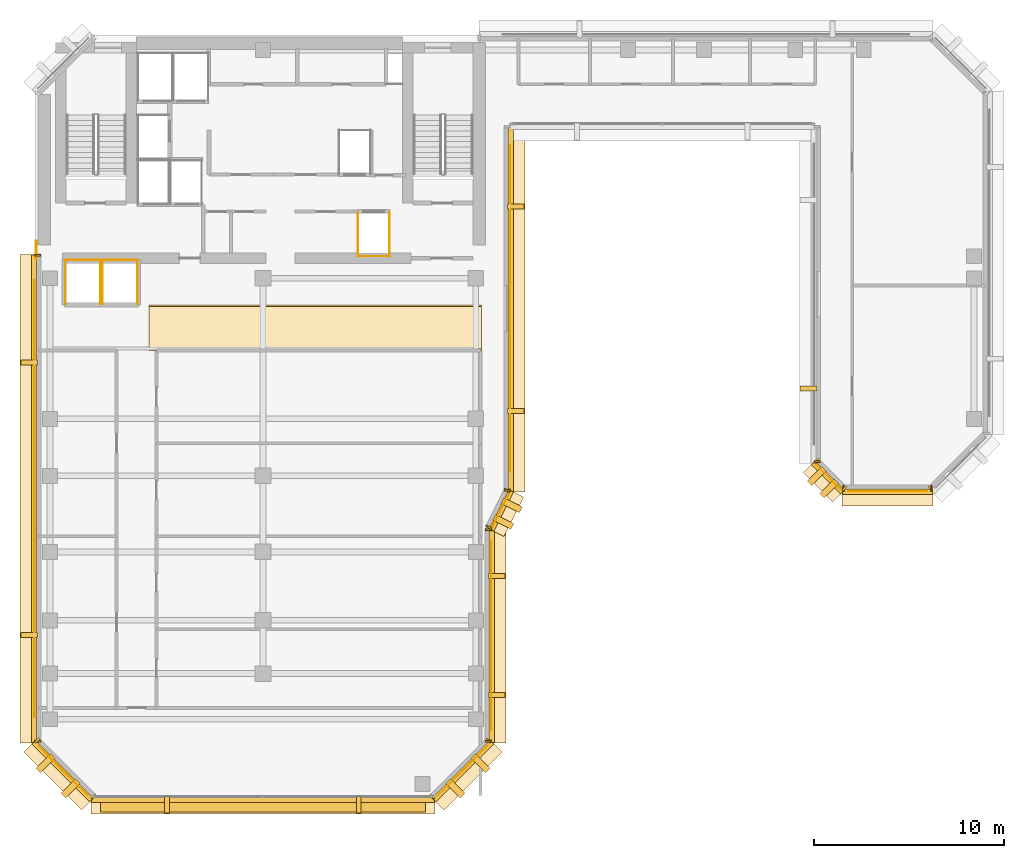
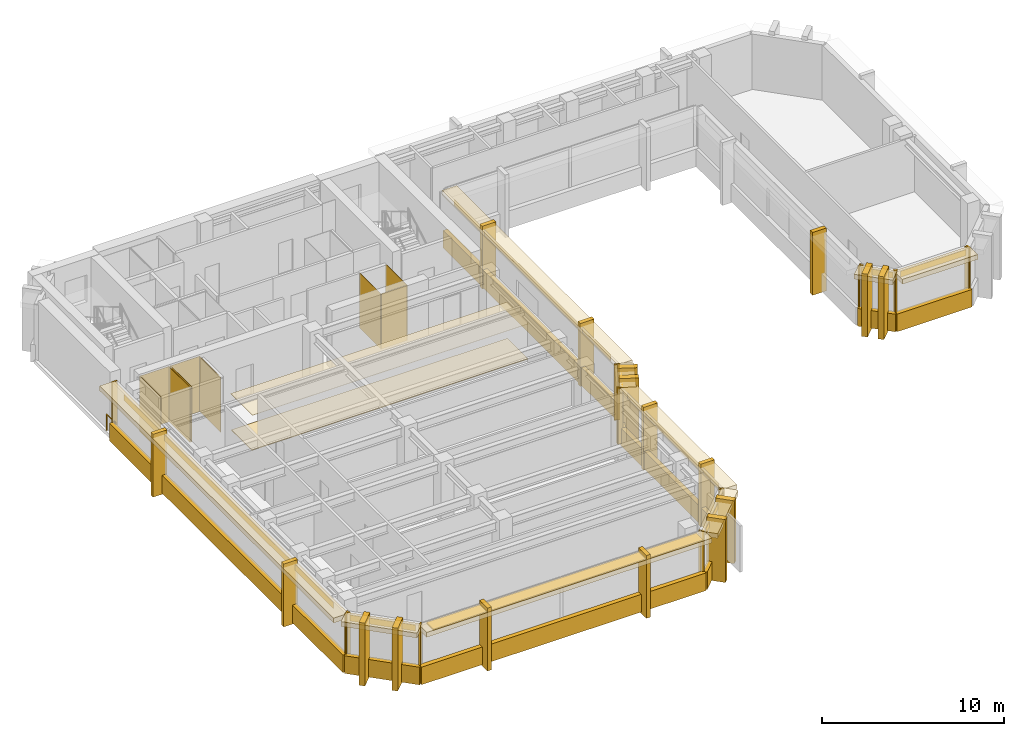
# One storey, part 8 of 11: 71 coverings, 1 railing, 1 shading device.
"""IFC4 building model written with IfcOpenShell, lengths in metres."""

from ifc_helpers import new_model, si_unit, direction, frame, origin, origin_2d, place, context, subcontext, project, spatial, polyline, rectangle, circle, outline, extrude, material, layer, layer_set, type_object, element, save


model = new_model("IFC4")

# Units and contexts
model_context = context("Model", 3, precision=1e-05, world=origin(), true_north=direction((0.0, 1.0)))
body_context = subcontext(model_context, "Body", "Model", "MODEL_VIEW")
ifc_project = project(units=[si_unit("LENGTHUNIT", "METRE"), si_unit("AREAUNIT", "SQUARE_METRE"), si_unit("VOLUMEUNIT", "CUBIC_METRE"), si_unit("PLANEANGLEUNIT", "RADIAN"), si_unit("MASSUNIT", "GRAM", prefix="KILO")], contexts=[model_context])

# Site, building, storey
site_placement = place(None, origin())
site = spatial("IfcSite", under=ifc_project, at=site_placement, CompositionType="ELEMENT")
building_placement = place(site_placement, origin())
building = spatial("IfcBuilding", under=site, at=building_placement, Name="Kefirva Bronze Tower", CompositionType="ELEMENT")
storey_placement = place(building_placement, frame((0.0, 0.0, 231.659912109375)))
storey = spatial("IfcBuildingStorey", under=building, at=storey_placement, Name="L56", CompositionType="ELEMENT", Elevation=231.659912109375)

# Coverings
ifc_material_1 = material(Name="Acoustic mineral tile")
ifc_layer_1 = layer(ifc_material_1, 0.02490234375, Name="Acoustic mineral tile")
ifc_layer_set_1 = layer_set([ifc_layer_1], Name="Acoustic mineral tile")
covering_type_1 = type_object("IfcCoveringType", Name="Acoustic Mineral Suspended Ceiling 25mm", PredefinedType="CEILING", material=ifc_layer_set_1)
covering_1_placement = place(storey_placement, frame((0.0, 0.0, 2.400146484375)))
element("IfcCovering", 1, at=covering_1_placement, inside=storey, type_object=covering_type_1, Name="L56 Corridor Acoustic Ceiling", PredefinedType="CEILING", context=body_context, shape_type="SweptSolid", body=[
    extrude(outline(polyline([(6.0, 29.39990234375), (23.5, 29.39990234375), (23.5, 31.800048828125), (6.0, 31.800048828125), (6.0, 29.39990234375)])), origin(), (0.0, 0.0, 1.0), 0.02490234375),
])
ifc_material_2 = material(Name="Bronze anodised aluminium", Category="aluminium")
ifc_layer_2 = layer(ifc_material_2, 0.02001953125, Name="Bronze anodised aluminium")
ifc_layer_set_2 = layer_set([ifc_layer_2], Name="Bronze anodised aluminium")
covering_type_2 = type_object("IfcCoveringType", Name="Anodised Bronze Spandrel Cladding 20mm", PredefinedType="CLADDING", material=ifc_layer_set_2)
covering_2_placement = place(storey_placement, frame((12.0, 5.760009765625, -0.15966796875), z_axis=(0.0, 0.0, 1.0), x_axis=(1.0, 0.0, 0.0)))
element("IfcCovering", 2, at=covering_2_placement, inside=storey, type_object=covering_type_2, Name="L56 Streamline Horizontal Spandrel Band 0", PredefinedType="CLADDING", context=body_context, shape_type="SweptSolid", body=[
    extrude(rectangle(XDim=18.0400390625, YDim=0.280029296875, at=origin_2d()), origin(), (0.0, 0.0, 1.0), 1.179931640625),
])
covering_3_placement = place(storey_placement, frame((22.507080078125, 7.29296875, 3.2900390625), z_axis=(0.0, 0.0, 1.0), x_axis=(0.707106781187, 0.707106781187, 0.0)))
element("IfcCovering", 3, at=covering_3_placement, inside=storey, type_object=covering_type_2, Name="L56 Bronze Spandrel Cladding 1", PredefinedType="CLADDING", context=body_context, shape_type="SweptSolid", body=[
    extrude(rectangle(XDim=3.719482421875, YDim=0.02001953125, at=origin_2d()), origin(), (0.0, 0.0, 1.0), 0.39990234375),
])
for number, where, z_axis, x_axis, name in (
    (4, (20.91162109375, 5.93798828125, 0.0), (0.0, 0.0, 1.0), (0.707106781187, 0.707106781187, 0.0), "L56 Facade Joint Closure Panel 1S"),
    (5, (23.862060546875, 8.88818359375, 0.0), (0.0, 0.0, 1.0), (0.707106781187, 0.707106781187, 0.0), "L56 Facade Joint Closure Panel 1E"),
):
    element("IfcCovering", number, at=place(storey_placement, frame(where, z_axis=z_axis, x_axis=x_axis)), inside=storey, type_object=covering_type_2, Name=name, PredefinedType="CLADDING", context=body_context, shape_type="SweptSolid", body=[
        extrude(rectangle(XDim=0.10009765625, YDim=0.320068359375, at=origin_2d()), origin(), (0.0, 0.0, 1.0), 3.7099609375),
    ])
covering_4_placement = place(storey_placement, frame((22.5283203125, 7.271728515625, -0.15966796875), z_axis=(0.0, 0.0, 1.0), x_axis=(0.707106781187, 0.707106781187, 0.0)))
element("IfcCovering", 6, at=covering_4_placement, inside=storey, type_object=covering_type_2, Name="L56 Streamline Horizontal Spandrel Band 1", PredefinedType="CLADDING", context=body_context, shape_type="SweptSolid", body=[
    extrude(rectangle(XDim=4.28271484375, YDim=0.280029296875, at=origin_2d()), origin(), (0.0, 0.0, 1.0), 1.179931640625),
])
covering_5_placement = place(storey_placement, frame((24.010009765625, 14.39990234375, 3.2900390625), z_axis=(0.0, 0.0, 1.0), x_axis=(0.0, 1.0, 0.0)))
element("IfcCovering", 7, at=covering_5_placement, inside=storey, type_object=covering_type_2, Name="L56 Bronze Spandrel Cladding 2", PredefinedType="CLADDING", context=body_context, shape_type="SweptSolid", body=[
    extrude(rectangle(XDim=9.98095703125, YDim=0.02001953125, at=origin_2d()), origin(), (0.0, 0.0, 1.0), 0.39990234375),
])
for number, where, z_axis, x_axis, name in (
    (8, (23.840087890625, 8.8349609375, 0.0), (0.0, 0.0, 1.0), (0.0, 1.0, 0.0), "L56 Facade Joint Closure Panel 2S"),
    (9, (23.840087890625, 19.965087890625, 0.0), (0.0, 0.0, 1.0), (0.0, 1.0, 0.0), "L56 Facade Joint Closure Panel 2E"),
):
    element("IfcCovering", number, at=place(storey_placement, frame(where, z_axis=z_axis, x_axis=x_axis)), inside=storey, type_object=covering_type_2, Name=name, PredefinedType="CLADDING", context=body_context, shape_type="SweptSolid", body=[
        extrude(rectangle(XDim=0.10009765625, YDim=0.320068359375, at=origin_2d()), origin(), (0.0, 0.0, 1.0), 3.7099609375),
    ])
covering_6_placement = place(storey_placement, frame((24.0400390625, 14.39990234375, -0.15966796875), z_axis=(0.0, 0.0, 1.0), x_axis=(0.0, 1.0, 0.0)))
element("IfcCovering", 10, at=covering_6_placement, inside=storey, type_object=covering_type_2, Name="L56 Streamline Horizontal Spandrel Band 2", PredefinedType="CLADDING", context=body_context, shape_type="SweptSolid", body=[
    extrude(rectangle(XDim=11.239990234375, YDim=0.280029296875, at=origin_2d()), origin(), (0.0, 0.0, 1.0), 1.179931640625),
])
covering_7_placement = place(storey_placement, frame((24.5087890625, 20.99560546875, 3.2900390625), z_axis=(0.0, 0.0, 1.0), x_axis=(0.44721435766, 0.89442680992, 0.0)))
element("IfcCovering", 11, at=covering_7_placement, inside=storey, type_object=covering_type_2, Name="L56 Bronze Spandrel Cladding 3", PredefinedType="CLADDING", context=body_context, shape_type="SweptSolid", body=[
    extrude(rectangle(XDim=1.91357421875, YDim=0.02001953125, at=origin_2d()), origin(), (0.0, 0.0, 1.0), 0.39990234375),
])
for number, where, z_axis, x_axis, name in (
    (12, (23.87255859375, 20.102783203125, 0.0), (0.0, 0.0, 1.0), (0.44721435766, 0.89442680992, 0.0), "L56 Facade Joint Closure Panel 3S"),
    (13, (24.84130859375, 22.040283203125, 0.0), (0.0, 0.0, 1.0), (0.44721435766, 0.89442680992, 0.0), "L56 Facade Joint Closure Panel 3E"),
):
    element("IfcCovering", number, at=place(storey_placement, frame(where, z_axis=z_axis, x_axis=x_axis)), inside=storey, type_object=covering_type_2, Name=name, PredefinedType="CLADDING", context=body_context, shape_type="SweptSolid", body=[
        extrude(rectangle(XDim=0.10009765625, YDim=0.320068359375, at=origin_2d()), origin(), (0.0, 0.0, 1.0), 3.7099609375),
    ])
covering_8_placement = place(storey_placement, frame((24.535888671875, 20.982177734375, -0.15966796875), z_axis=(0.0, 0.0, 1.0), x_axis=(0.44721435766, 0.89442680992, 0.0)))
element("IfcCovering", 14, at=covering_8_placement, inside=storey, type_object=covering_type_2, Name="L56 Streamline Horizontal Spandrel Band 3", PredefinedType="CLADDING", context=body_context, shape_type="SweptSolid", body=[
    extrude(rectangle(XDim=2.276123046875, YDim=0.280029296875, at=origin_2d()), origin(), (0.0, 0.0, 1.0), 1.179931640625),
])
covering_9_placement = place(storey_placement, frame((25.010009765625, 31.60009765625, 3.2900390625), z_axis=(0.0, 0.0, 1.0), x_axis=(0.0, 1.0, 0.0)))
element("IfcCovering", 15, at=covering_9_placement, inside=storey, type_object=covering_type_2, Name="L56 Bronze Spandrel Cladding 4", PredefinedType="CLADDING", context=body_context, shape_type="SweptSolid", body=[
    extrude(rectangle(XDim=17.180908203125, YDim=0.02001953125, at=origin_2d()), origin(), (0.0, 0.0, 1.0), 0.39990234375),
])
covering_10_placement = place(storey_placement, frame((24.840087890625, 22.034912109375, 0.0), z_axis=(0.0, 0.0, 1.0), x_axis=(0.0, 1.0, 0.0)))
element("IfcCovering", 16, at=covering_10_placement, inside=storey, type_object=covering_type_2, Name="L56 Facade Joint Closure Panel 4S", PredefinedType="CLADDING", context=body_context, shape_type="SweptSolid", body=[
    extrude(rectangle(XDim=0.10009765625, YDim=0.320068359375, at=origin_2d()), origin(), (0.0, 0.0, 1.0), 3.7099609375),
])
covering_11_placement = place(storey_placement, frame((25.0400390625, 31.60009765625, -0.15966796875), z_axis=(0.0, 0.0, 1.0), x_axis=(0.0, 1.0, 0.0)))
element("IfcCovering", 17, at=covering_11_placement, inside=storey, type_object=covering_type_2, Name="L56 Streamline Horizontal Spandrel Band 5", PredefinedType="CLADDING", context=body_context, shape_type="SweptSolid", body=[
    extrude(rectangle(XDim=19.239990234375, YDim=0.280029296875, at=origin_2d()), origin(), (0.0, 0.0, 1.0), 1.179931640625),
])
covering_12_placement = place(storey_placement, frame((41.159912109375, 23.534912109375, 0.0), z_axis=(0.0, 0.0, 1.0), x_axis=(0.0, -1.0, 0.0)))
element("IfcCovering", 18, at=covering_12_placement, inside=storey, type_object=covering_type_2, Name="L56 Facade Joint Closure Panel 5E", PredefinedType="CLADDING", context=body_context, shape_type="SweptSolid", body=[
    extrude(rectangle(XDim=0.10009765625, YDim=0.320068359375, at=origin_2d()), origin(), (0.0, 0.0, 1.0), 3.7099609375),
])
covering_13_placement = place(storey_placement, frame((41.742919921875, 22.742919921875, 3.2900390625), z_axis=(0.0, 0.0, 1.0), x_axis=(0.707106781187, -0.707106781187, 0.0)))
element("IfcCovering", 19, at=covering_13_placement, inside=storey, type_object=covering_type_2, Name="L56 Bronze Spandrel Cladding 6", PredefinedType="CLADDING", context=body_context, shape_type="SweptSolid", body=[
    extrude(rectangle(XDim=1.810302734375, YDim=0.02001953125, at=origin_2d()), origin(), (0.0, 0.0, 1.0), 0.39990234375),
])
for number, where, z_axis, x_axis, name in (
    (20, (41.137939453125, 23.58837890625, 0.0), (0.0, 0.0, 1.0), (0.707106781187, -0.707106781187, 0.0), "L56 Facade Joint Closure Panel 6S"),
    (21, (42.58837890625, 22.137939453125, 0.0), (0.0, 0.0, 1.0), (0.707106781187, -0.707106781187, 0.0), "L56 Facade Joint Closure Panel 6E"),
):
    element("IfcCovering", number, at=place(storey_placement, frame(where, z_axis=z_axis, x_axis=x_axis)), inside=storey, type_object=covering_type_2, Name=name, PredefinedType="CLADDING", context=body_context, shape_type="SweptSolid", body=[
        extrude(rectangle(XDim=0.10009765625, YDim=0.320068359375, at=origin_2d()), origin(), (0.0, 0.0, 1.0), 3.7099609375),
    ])
covering_14_placement = place(storey_placement, frame((41.7216796875, 22.7216796875, -0.15966796875), z_axis=(0.0, 0.0, 1.0), x_axis=(0.707106781187, -0.707106781187, 0.0)))
element("IfcCovering", 22, at=covering_14_placement, inside=storey, type_object=covering_type_2, Name="L56 Streamline Horizontal Spandrel Band 8", PredefinedType="CLADDING", context=body_context, shape_type="SweptSolid", body=[
    extrude(rectangle(XDim=2.161376953125, YDim=0.280029296875, at=origin_2d()), origin(), (0.0, 0.0, 1.0), 1.179931640625),
])
covering_15_placement = place(storey_placement, frame((44.85009765625, 21.989990234375, 3.2900390625), z_axis=(0.0, 0.0, 1.0), x_axis=(1.0, 0.0, 0.0)))
element("IfcCovering", 23, at=covering_15_placement, inside=storey, type_object=covering_type_2, Name="L56 Bronze Spandrel Cladding 7", PredefinedType="CLADDING", context=body_context, shape_type="SweptSolid", body=[
    extrude(rectangle(XDim=4.131103515625, YDim=0.02001953125, at=origin_2d()), origin(), (0.0, 0.0, 1.0), 0.39990234375),
])
for number, where, z_axis, x_axis, name in (
    (24, (42.534912109375, 22.159912109375, 0.0), (0.0, 0.0, 1.0), (1.0, 0.0, 0.0), "L56 Facade Joint Closure Panel 7S"),
    (25, (47.1650390625, 22.159912109375, 0.0), (0.0, 0.0, 1.0), (1.0, 0.0, 0.0), "L56 Facade Joint Closure Panel 7E"),
):
    element("IfcCovering", number, at=place(storey_placement, frame(where, z_axis=z_axis, x_axis=x_axis)), inside=storey, type_object=covering_type_2, Name=name, PredefinedType="CLADDING", context=body_context, shape_type="SweptSolid", body=[
        extrude(rectangle(XDim=0.10009765625, YDim=0.320068359375, at=origin_2d()), origin(), (0.0, 0.0, 1.0), 3.7099609375),
    ])
covering_16_placement = place(storey_placement, frame((44.85009765625, 21.9599609375, -0.15966796875), z_axis=(0.0, 0.0, 1.0), x_axis=(1.0, 0.0, 0.0)))
element("IfcCovering", 26, at=covering_16_placement, inside=storey, type_object=covering_type_2, Name="L56 Streamline Horizontal Spandrel Band 9", PredefinedType="CLADDING", context=body_context, shape_type="SweptSolid", body=[
    extrude(rectangle(XDim=4.739990234375, YDim=0.280029296875, at=origin_2d()), origin(), (0.0, 0.0, 1.0), 1.179931640625),
])
covering_17_placement = place(storey_placement, frame((47.11181640625, 22.137939453125, 0.0), z_axis=(0.0, 0.0, 1.0), x_axis=(0.707106781187, 0.707106781187, 0.0)))
element("IfcCovering", 27, at=covering_17_placement, inside=storey, type_object=covering_type_2, Name="L56 Facade Joint Closure Panel 8S", PredefinedType="CLADDING", context=body_context, shape_type="SweptSolid", body=[
    extrude(rectangle(XDim=0.10009765625, YDim=0.320068359375, at=origin_2d()), origin(), (0.0, 0.0, 1.0), 3.7099609375),
])
covering_18_placement = place(storey_placement, frame((-0.010009765625, 21.597412109375, 3.2900390625), z_axis=(0.0, 0.0, 1.0), x_axis=(0.0, -1.0, 0.0)))
element("IfcCovering", 28, at=covering_18_placement, inside=storey, type_object=covering_type_2, Name="L56 Bronze Spandrel Cladding 13", PredefinedType="CLADDING", context=body_context, shape_type="SweptSolid", body=[
    extrude(rectangle(XDim=22.986083984375, YDim=0.02001953125, at=origin_2d()), origin(), (0.0, 0.0, 1.0), 0.39990234375),
])
for number, where, z_axis, x_axis, name in (
    (29, (0.159912109375, 34.4150390625, 0.0), (0.0, 0.0, 1.0), (0.0, -1.0, 0.0), "L56 Facade Joint Closure Panel 13S"),
    (30, (0.159912109375, 8.8349609375, 0.0), (0.0, 0.0, 1.0), (0.0, -1.0, 0.0), "L56 Facade Joint Closure Panel 13E"),
):
    element("IfcCovering", number, at=place(storey_placement, frame(where, z_axis=z_axis, x_axis=x_axis)), inside=storey, type_object=covering_type_2, Name=name, PredefinedType="CLADDING", context=body_context, shape_type="SweptSolid", body=[
        extrude(rectangle(XDim=0.10009765625, YDim=0.320068359375, at=origin_2d()), origin(), (0.0, 0.0, 1.0), 3.7099609375),
    ])
covering_19_placement = place(storey_placement, frame((-0.0400390625, 21.597412109375, -0.15966796875), z_axis=(0.0, 0.0, 1.0), x_axis=(0.0, -1.0, 0.0)))
element("IfcCovering", 31, at=covering_19_placement, inside=storey, type_object=covering_type_2, Name="L56 Streamline Horizontal Spandrel Band 15", PredefinedType="CLADDING", context=body_context, shape_type="SweptSolid", body=[
    extrude(rectangle(XDim=25.635009765625, YDim=0.280029296875, at=origin_2d()), origin(), (0.0, 0.0, 1.0), 1.179931640625),
])
covering_20_placement = place(storey_placement, frame((1.492919921875, 7.29296875, 3.2900390625), z_axis=(0.0, 0.0, 1.0), x_axis=(0.707106781187, -0.707106781187, 0.0)))
element("IfcCovering", 32, at=covering_20_placement, inside=storey, type_object=covering_type_2, Name="L56 Bronze Spandrel Cladding 14", PredefinedType="CLADDING", context=body_context, shape_type="SweptSolid", body=[
    extrude(rectangle(XDim=3.719482421875, YDim=0.02001953125, at=origin_2d()), origin(), (0.0, 0.0, 1.0), 0.39990234375),
])
for number, where, z_axis, x_axis, name in (
    (33, (0.137939453125, 8.88818359375, 0.0), (0.0, 0.0, 1.0), (0.707106781187, -0.707106781187, 0.0), "L56 Facade Joint Closure Panel 14S"),
    (34, (3.08837890625, 5.93798828125, 0.0), (0.0, 0.0, 1.0), (0.707106781187, -0.707106781187, 0.0), "L56 Facade Joint Closure Panel 14E"),
):
    element("IfcCovering", number, at=place(storey_placement, frame(where, z_axis=z_axis, x_axis=x_axis)), inside=storey, type_object=covering_type_2, Name=name, PredefinedType="CLADDING", context=body_context, shape_type="SweptSolid", body=[
        extrude(rectangle(XDim=0.10009765625, YDim=0.320068359375, at=origin_2d()), origin(), (0.0, 0.0, 1.0), 3.7099609375),
    ])
covering_21_placement = place(storey_placement, frame((1.4716796875, 7.271728515625, -0.15966796875), z_axis=(0.0, 0.0, 1.0), x_axis=(0.707106781187, -0.707106781187, 0.0)))
element("IfcCovering", 35, at=covering_21_placement, inside=storey, type_object=covering_type_2, Name="L56 Streamline Horizontal Spandrel Band 16", PredefinedType="CLADDING", context=body_context, shape_type="SweptSolid", body=[
    extrude(rectangle(XDim=4.28271484375, YDim=0.280029296875, at=origin_2d()), origin(), (0.0, 0.0, 1.0), 1.179931640625),
])
covering_22_placement = place(storey_placement, origin())
element("IfcCovering", 36, at=covering_22_placement, inside=storey, type_object=covering_type_2, Name="L56 Lift OB1 Hoistway Liner N", PredefinedType="CLADDING", context=body_context, shape_type="SweptSolid", body=[
    extrude(outline(polyline([(1.580078125, 34.139892578125), (3.469970703125, 34.139892578125), (3.469970703125, 34.159912109375), (1.580078125, 34.159912109375), (1.580078125, 34.139892578125)])), origin(), (0.0, 0.0, 1.0), 3.710205078125),
])
covering_23_placement = place(storey_placement, origin())
element("IfcCovering", 37, at=covering_23_placement, inside=storey, type_object=covering_type_2, Name="L56 Lift OB1 Hoistway Liner W", PredefinedType="CLADDING", context=body_context, shape_type="SweptSolid", body=[
    extrude(outline(polyline([(1.590087890625, 31.830078125), (1.610107421875, 31.830078125), (1.610107421875, 34.169921875), (1.590087890625, 34.169921875), (1.590087890625, 31.830078125)])), origin(), (0.0, 0.0, 1.0), 3.710205078125),
])
covering_24_placement = place(storey_placement, origin())
element("IfcCovering", 38, at=covering_24_placement, inside=storey, type_object=covering_type_2, Name="L56 Lift OB1 Hoistway Liner E", PredefinedType="CLADDING", context=body_context, shape_type="SweptSolid", body=[
    extrude(outline(polyline([(3.43994140625, 31.830078125), (3.4599609375, 31.830078125), (3.4599609375, 34.169921875), (3.43994140625, 34.169921875), (3.43994140625, 31.830078125)])), origin(), (0.0, 0.0, 1.0), 3.710205078125),
])
covering_25_placement = place(storey_placement, origin())
element("IfcCovering", 39, at=covering_25_placement, inside=storey, type_object=covering_type_2, Name="L56 Lift OB2 Hoistway Liner N", PredefinedType="CLADDING", context=body_context, shape_type="SweptSolid", body=[
    extrude(outline(polyline([(3.530029296875, 34.139892578125), (5.419921875, 34.139892578125), (5.419921875, 34.159912109375), (3.530029296875, 34.159912109375), (3.530029296875, 34.139892578125)])), origin(), (0.0, 0.0, 1.0), 3.710205078125),
])
covering_26_placement = place(storey_placement, origin())
element("IfcCovering", 40, at=covering_26_placement, inside=storey, type_object=covering_type_2, Name="L56 Lift OB2 Hoistway Liner W", PredefinedType="CLADDING", context=body_context, shape_type="SweptSolid", body=[
    extrude(outline(polyline([(3.5400390625, 31.830078125), (3.56005859375, 31.830078125), (3.56005859375, 34.169921875), (3.5400390625, 34.169921875), (3.5400390625, 31.830078125)])), origin(), (0.0, 0.0, 1.0), 3.710205078125),
])
covering_27_placement = place(storey_placement, origin())
element("IfcCovering", 41, at=covering_27_placement, inside=storey, type_object=covering_type_2, Name="L56 Lift OB2 Hoistway Liner E", PredefinedType="CLADDING", context=body_context, shape_type="SweptSolid", body=[
    extrude(outline(polyline([(5.389892578125, 31.830078125), (5.409912109375, 31.830078125), (5.409912109375, 34.169921875), (5.389892578125, 34.169921875), (5.389892578125, 31.830078125)])), origin(), (0.0, 0.0, 1.0), 3.710205078125),
])
covering_28_placement = place(storey_placement, origin())
element("IfcCovering", 42, at=covering_28_placement, inside=storey, type_object=covering_type_2, Name="L56 Lift HP1 Hoistway Liner S", PredefinedType="CLADDING", context=body_context, shape_type="SweptSolid", body=[
    extrude(outline(polyline([(16.97998046875, 34.340087890625), (18.669921875, 34.340087890625), (18.669921875, 34.360107421875), (16.97998046875, 34.360107421875), (16.97998046875, 34.340087890625)])), origin(), (0.0, 0.0, 1.0), 3.710205078125),
])
covering_29_placement = place(storey_placement, origin())
element("IfcCovering", 43, at=covering_29_placement, inside=storey, type_object=covering_type_2, Name="L56 Lift HP1 Hoistway Liner W", PredefinedType="CLADDING", context=body_context, shape_type="SweptSolid", body=[
    extrude(outline(polyline([(16.989990234375, 34.330078125), (17.010009765625, 34.330078125), (17.010009765625, 36.669921875), (16.989990234375, 36.669921875), (16.989990234375, 34.330078125)])), origin(), (0.0, 0.0, 1.0), 3.710205078125),
])
covering_30_placement = place(storey_placement, origin())
element("IfcCovering", 44, at=covering_30_placement, inside=storey, type_object=covering_type_2, Name="L56 Lift HP1 Hoistway Liner E", PredefinedType="CLADDING", context=body_context, shape_type="SweptSolid", body=[
    extrude(outline(polyline([(18.639892578125, 34.330078125), (18.659912109375, 34.330078125), (18.659912109375, 36.669921875), (18.639892578125, 36.669921875), (18.639892578125, 34.330078125)])), origin(), (0.0, 0.0, 1.0), 3.710205078125),
])

# Shading device
ifc_layer_3 = layer(ifc_material_2, 0.090087890625, Name="Bronze anodised aluminium")
ifc_layer_set_3 = layer_set([ifc_layer_3], Name="Bronze anodised aluminium")
shading_device_type = type_object("IfcShadingDeviceType", Name="Horizontal Bronze Sunshade Band 750mm", PredefinedType="JALOUSIE", material=ifc_layer_set_3)
shading_device_placement = place(storey_placement, frame((12.0, 5.5048828125, 3.60498046875), z_axis=(0.0, 0.0, 1.0), x_axis=(1.0, 0.0, 0.0)))
element("IfcShadingDevice", 45, at=shading_device_placement, inside=storey, type_object=shading_device_type, Name="L56 Horizontal Bronze Sunshade Band 0", PredefinedType="JALOUSIE", context=body_context, shape_type="SweptSolid", body=[
    extrude(rectangle(XDim=17.090087890625, YDim=0.75, at=origin_2d()), origin(), (0.0, 0.0, 1.0), 0.090087890625),
])

# Railing
ifc_material_3 = material(Name="Stainless steel 316", Category="steel")
railing_type = type_object("IfcRailingType", Name="Interior Stair Guardrail 1100mm", PredefinedType="GUARDRAIL", material=ifc_material_3)
railing_placement = place(storey_placement, frame((0.080078125, 34.199951171875, 0.0)))
element("IfcRailing", 46, at=railing_placement, inside=storey, type_object=railing_type, Name="L56 West Core Junction Guardrail", PredefinedType="GUARDRAIL", context=body_context, shape_type="SweptSolid", body=[
    extrude(circle(Radius=0.02392578125, at=origin_2d()), frame((0.0, 0.0, 1.076171875), z_axis=(0.0, 1.0, 0.0), x_axis=(-1.0, 0.0, 0.0)), (0.0, 0.0, 1.0), 0.949951171875),
    extrude(circle(Radius=0.02099609375, at=origin_2d()), origin(), (0.0, 0.0, 1.0), 1.052001953125),
    extrude(circle(Radius=0.02099609375, at=origin_2d()), frame((0.0, 0.949951171875, 0.0)), (0.0, 0.0, 1.0), 1.052001953125),
])

# Coverings
ifc_material_4 = material(Name="Calcium sulphate access tile")
ifc_layer_4 = layer(ifc_material_4, 0.044921875, Name="Calcium sulphate access tile")
ifc_layer_set_4 = layer_set([ifc_layer_4], Name="Calcium sulphate access tile")
covering_type_3 = type_object("IfcCoveringType", Name="Raised Access Office Flooring 45mm", PredefinedType="FLOORING", material=ifc_layer_set_4)
covering_31_placement = place(storey_placement, origin())
element("IfcCovering", 47, at=covering_31_placement, inside=storey, type_object=covering_type_3, Name="L56 Architectural Finish Flooring", PredefinedType="FLOORING", context=body_context, shape_type="SweptSolid", body=[
    extrude(outline(polyline([(6.0, 29.47998046875), (23.5, 29.47998046875), (23.5, 31.719970703125), (6.0, 31.719970703125), (6.0, 29.47998046875)])), origin(), (0.0, 0.0, 1.0), 0.045166015625),
])
ifc_layer_5 = layer(ifc_material_2, 0.179931640625, Name="Bronze anodised aluminium")
ifc_layer_set_5 = layer_set([ifc_layer_5], Name="Bronze anodised aluminium")
covering_type_4 = type_object("IfcCoveringType", Name="Streamline Bronze Sunshade Eyebrow Cladding 180mm", PredefinedType="CLADDING", material=ifc_layer_set_5)
covering_32_placement = place(storey_placement, frame((12.0, 5.489990234375, 3.39013671875), z_axis=(0.0, 0.0, 1.0), x_axis=(1.0, 0.0, 0.0)))
element("IfcCovering", 48, at=covering_32_placement, inside=storey, type_object=covering_type_4, Name="L56 Streamline Bronze Sunshade Eyebrow 0", PredefinedType="CLADDING", context=body_context, shape_type="SweptSolid", body=[
    extrude(rectangle(XDim=18.080078125, YDim=0.93994140625, at=origin_2d()), origin(), (0.0, 0.0, 1.0), 0.320068359375),
])
covering_33_placement = place(storey_placement, frame((22.71923828125, 7.080810546875, 3.39013671875), z_axis=(0.0, 0.0, 1.0), x_axis=(0.707106781187, 0.707106781187, 0.0)))
element("IfcCovering", 49, at=covering_33_placement, inside=storey, type_object=covering_type_4, Name="L56 Streamline Bronze Sunshade Eyebrow 1", PredefinedType="CLADDING", context=body_context, shape_type="SweptSolid", body=[
    extrude(rectangle(XDim=4.322509765625, YDim=0.93994140625, at=origin_2d()), origin(), (0.0, 0.0, 1.0), 0.320068359375),
])
covering_34_placement = place(storey_placement, frame((24.31005859375, 14.39990234375, 3.39013671875), z_axis=(0.0, 0.0, 1.0), x_axis=(0.0, 1.0, 0.0)))
element("IfcCovering", 50, at=covering_34_placement, inside=storey, type_object=covering_type_4, Name="L56 Streamline Bronze Sunshade Eyebrow 2", PredefinedType="CLADDING", context=body_context, shape_type="SweptSolid", body=[
    extrude(rectangle(XDim=11.280029296875, YDim=0.93994140625, at=origin_2d()), origin(), (0.0, 0.0, 1.0), 0.320068359375),
])
covering_35_placement = place(storey_placement, frame((24.77734375, 20.861328125, 3.39013671875), z_axis=(0.0, 0.0, 1.0), x_axis=(0.44721435766, 0.89442680992, 0.0)))
element("IfcCovering", 51, at=covering_35_placement, inside=storey, type_object=covering_type_4, Name="L56 Streamline Bronze Sunshade Eyebrow 3", PredefinedType="CLADDING", context=body_context, shape_type="SweptSolid", body=[
    extrude(rectangle(XDim=2.316162109375, YDim=0.93994140625, at=origin_2d()), origin(), (0.0, 0.0, 1.0), 0.320068359375),
])
covering_36_placement = place(storey_placement, frame((25.31005859375, 31.60009765625, 3.39013671875), z_axis=(0.0, 0.0, 1.0), x_axis=(0.0, 1.0, 0.0)))
element("IfcCovering", 52, at=covering_36_placement, inside=storey, type_object=covering_type_4, Name="L56 Streamline Bronze Sunshade Eyebrow 5", PredefinedType="CLADDING", context=body_context, shape_type="SweptSolid", body=[
    extrude(rectangle(XDim=19.280029296875, YDim=0.93994140625, at=origin_2d()), origin(), (0.0, 0.0, 1.0), 0.320068359375),
])
covering_37_placement = place(storey_placement, frame((41.53076171875, 22.53076171875, 3.39013671875), z_axis=(0.0, 0.0, 1.0), x_axis=(0.707106781187, -0.707106781187, 0.0)))
element("IfcCovering", 53, at=covering_37_placement, inside=storey, type_object=covering_type_4, Name="L56 Streamline Bronze Sunshade Eyebrow 8", PredefinedType="CLADDING", context=body_context, shape_type="SweptSolid", body=[
    extrude(rectangle(XDim=2.201416015625, YDim=0.93994140625, at=origin_2d()), origin(), (0.0, 0.0, 1.0), 0.320068359375),
])
covering_38_placement = place(storey_placement, frame((44.85009765625, 21.68994140625, 3.39013671875), z_axis=(0.0, 0.0, 1.0), x_axis=(1.0, 0.0, 0.0)))
element("IfcCovering", 54, at=covering_38_placement, inside=storey, type_object=covering_type_4, Name="L56 Streamline Bronze Sunshade Eyebrow 9", PredefinedType="CLADDING", context=body_context, shape_type="SweptSolid", body=[
    extrude(rectangle(XDim=4.780029296875, YDim=0.93994140625, at=origin_2d()), origin(), (0.0, 0.0, 1.0), 0.320068359375),
])
covering_39_placement = place(storey_placement, frame((-0.31005859375, 21.597412109375, 3.39013671875), z_axis=(0.0, 0.0, 1.0), x_axis=(0.0, -1.0, 0.0)))
element("IfcCovering", 55, at=covering_39_placement, inside=storey, type_object=covering_type_4, Name="L56 Streamline Bronze Sunshade Eyebrow 15", PredefinedType="CLADDING", context=body_context, shape_type="SweptSolid", body=[
    extrude(rectangle(XDim=25.675048828125, YDim=0.93994140625, at=origin_2d()), origin(), (0.0, 0.0, 1.0), 0.320068359375),
])
covering_40_placement = place(storey_placement, frame((1.28076171875, 7.080810546875, 3.39013671875), z_axis=(0.0, 0.0, 1.0), x_axis=(0.707106781187, -0.707106781187, 0.0)))
element("IfcCovering", 56, at=covering_40_placement, inside=storey, type_object=covering_type_4, Name="L56 Streamline Bronze Sunshade Eyebrow 16", PredefinedType="CLADDING", context=body_context, shape_type="SweptSolid", body=[
    extrude(rectangle(XDim=4.322509765625, YDim=0.93994140625, at=origin_2d()), origin(), (0.0, 0.0, 1.0), 0.320068359375),
])
ifc_layer_6 = layer(ifc_material_2, 0.260009765625, Name="Bronze anodised aluminium")
ifc_layer_set_6 = layer_set([ifc_layer_6], Name="Bronze anodised aluminium")
covering_type_5 = type_object("IfcCoveringType", Name="Unbroken Bronze Buttress Fin Cladding 260mm", PredefinedType="CLADDING", material=ifc_layer_set_6)
for number, where, z_axis, x_axis, name in (
    (57, (6.9599609375, 5.5, -0.25), (0.0, 0.0, 1.0), (1.0, 0.0, 0.0), "L56 Unbroken Vertical Bronze Rib Fin 1"),
    (58, (17.0400390625, 5.5, -0.25), (0.0, 0.0, 1.0), (1.0, 0.0, 0.0), "L56 Unbroken Vertical Bronze Rib Fin 2"),
):
    element("IfcCovering", number, at=place(storey_placement, frame(where, z_axis=z_axis, x_axis=x_axis)), inside=storey, type_object=covering_type_5, Name=name, PredefinedType="CLADDING", context=body_context, shape_type="SweptSolid", body=[
        extrude(rectangle(XDim=0.260009765625, YDim=0.8798828125, at=origin_2d()), origin(), (0.0, 0.0, 1.0), 4.2099609375),
    ])
for number, where, z_axis, x_axis, name in (
    (59, (22.122802734375, 6.357177734375, -0.25), (0.0, 0.0, 1.0), (0.707106781187, 0.707106781187, 0.0), "L56 Chamfered Corner Buttress Fin Cladding 3"),
    (60, (23.44287109375, 7.67724609375, -0.25), (0.0, 0.0, 1.0), (0.707106781187, 0.707106781187, 0.0), "L56 Chamfered Corner Buttress Fin Cladding 4"),
):
    element("IfcCovering", number, at=place(storey_placement, frame(where, z_axis=z_axis, x_axis=x_axis)), inside=storey, type_object=covering_type_5, Name=name, PredefinedType="CLADDING", context=body_context, shape_type="SweptSolid", body=[
        extrude(rectangle(XDim=0.340087890625, YDim=1.080078125, at=origin_2d()), origin(), (0.0, 0.0, 1.0), 4.2099609375),
    ])
for number, where, z_axis, x_axis, name in (
    (61, (24.300048828125, 11.263916015625, -0.25), (0.0, 0.0, 1.0), (0.0, 1.0, 0.0), "L56 Unbroken Vertical Bronze Rib Fin 5"),
    (62, (24.300048828125, 17.535888671875, -0.25), (0.0, 0.0, 1.0), (0.0, 1.0, 0.0), "L56 Unbroken Vertical Bronze Rib Fin 6"),
):
    element("IfcCovering", number, at=place(storey_placement, frame(where, z_axis=z_axis, x_axis=x_axis)), inside=storey, type_object=covering_type_5, Name=name, PredefinedType="CLADDING", context=body_context, shape_type="SweptSolid", body=[
        extrude(rectangle(XDim=0.260009765625, YDim=0.8798828125, at=origin_2d()), origin(), (0.0, 0.0, 1.0), 4.2099609375),
    ])
for number, where, z_axis, x_axis, name in (
    (63, (24.6376953125, 20.381103515625, -0.25), (0.0, 0.0, 1.0), (0.44721435766, 0.89442680992, 0.0), "L56 Chamfered Corner Buttress Fin Cladding 7"),
    (64, (25.077880859375, 21.260986328125, -0.25), (0.0, 0.0, 1.0), (0.44721435766, 0.89442680992, 0.0), "L56 Chamfered Corner Buttress Fin Cladding 8"),
):
    element("IfcCovering", number, at=place(storey_placement, frame(where, z_axis=z_axis, x_axis=x_axis)), inside=storey, type_object=covering_type_5, Name=name, PredefinedType="CLADDING", context=body_context, shape_type="SweptSolid", body=[
        extrude(rectangle(XDim=0.340087890625, YDim=1.080078125, at=origin_2d()), origin(), (0.0, 0.0, 1.0), 4.2099609375),
    ])
for number, where, z_axis, x_axis, name in (
    (65, (25.300048828125, 26.22412109375, -0.25), (0.0, 0.0, 1.0), (0.0, 1.0, 0.0), "L56 Unbroken Vertical Bronze Rib Fin 9"),
    (66, (25.300048828125, 36.97607421875, -0.25), (0.0, 0.0, 1.0), (0.0, 1.0, 0.0), "L56 Unbroken Vertical Bronze Rib Fin 10"),
    (67, (40.699951171875, 27.39404296875, -0.25), (0.0, 0.0, 1.0), (0.0, -1.0, 0.0), "L56 Unbroken Vertical Bronze Rib Fin 14"),
):
    element("IfcCovering", number, at=place(storey_placement, frame(where, z_axis=z_axis, x_axis=x_axis)), inside=storey, type_object=covering_type_5, Name=name, PredefinedType="CLADDING", context=body_context, shape_type="SweptSolid", body=[
        extrude(rectangle(XDim=0.260009765625, YDim=0.8798828125, at=origin_2d()), origin(), (0.0, 0.0, 1.0), 4.2099609375),
    ])
for number, where, z_axis, x_axis, name in (
    (68, (41.13720703125, 22.797119140625, -0.25), (0.0, 0.0, 1.0), (0.707106781187, -0.707106781187, 0.0), "L56 Chamfered Corner Buttress Fin Cladding 15"),
    (69, (41.797119140625, 22.13720703125, -0.25), (0.0, 0.0, 1.0), (0.707106781187, -0.707106781187, 0.0), "L56 Chamfered Corner Buttress Fin Cladding 16"),
):
    element("IfcCovering", number, at=place(storey_placement, frame(where, z_axis=z_axis, x_axis=x_axis)), inside=storey, type_object=covering_type_5, Name=name, PredefinedType="CLADDING", context=body_context, shape_type="SweptSolid", body=[
        extrude(rectangle(XDim=0.340087890625, YDim=1.080078125, at=origin_2d()), origin(), (0.0, 0.0, 1.0), 4.2099609375),
    ])
for number, where, z_axis, x_axis, name in (
    (70, (-0.300048828125, 28.76416015625, -0.25), (0.0, 0.0, 1.0), (0.0, -1.0, 0.0), "L56 Unbroken Vertical Bronze Rib Fin 27"),
    (71, (-0.300048828125, 14.430908203125, -0.25), (0.0, 0.0, 1.0), (0.0, -1.0, 0.0), "L56 Unbroken Vertical Bronze Rib Fin 28"),
):
    element("IfcCovering", number, at=place(storey_placement, frame(where, z_axis=z_axis, x_axis=x_axis)), inside=storey, type_object=covering_type_5, Name=name, PredefinedType="CLADDING", context=body_context, shape_type="SweptSolid", body=[
        extrude(rectangle(XDim=0.260009765625, YDim=0.8798828125, at=origin_2d()), origin(), (0.0, 0.0, 1.0), 4.2099609375),
    ])
for number, where, z_axis, x_axis, name in (
    (72, (0.55712890625, 7.67724609375, -0.25), (0.0, 0.0, 1.0), (0.707106781187, -0.707106781187, 0.0), "L56 Chamfered Corner Buttress Fin Cladding 29"),
    (73, (1.877197265625, 6.357177734375, -0.25), (0.0, 0.0, 1.0), (0.707106781187, -0.707106781187, 0.0), "L56 Chamfered Corner Buttress Fin Cladding 30"),
):
    element("IfcCovering", number, at=place(storey_placement, frame(where, z_axis=z_axis, x_axis=x_axis)), inside=storey, type_object=covering_type_5, Name=name, PredefinedType="CLADDING", context=body_context, shape_type="SweptSolid", body=[
        extrude(rectangle(XDim=0.340087890625, YDim=1.080078125, at=origin_2d()), origin(), (0.0, 0.0, 1.0), 4.2099609375),
    ])

save(model, "model.ifc")
